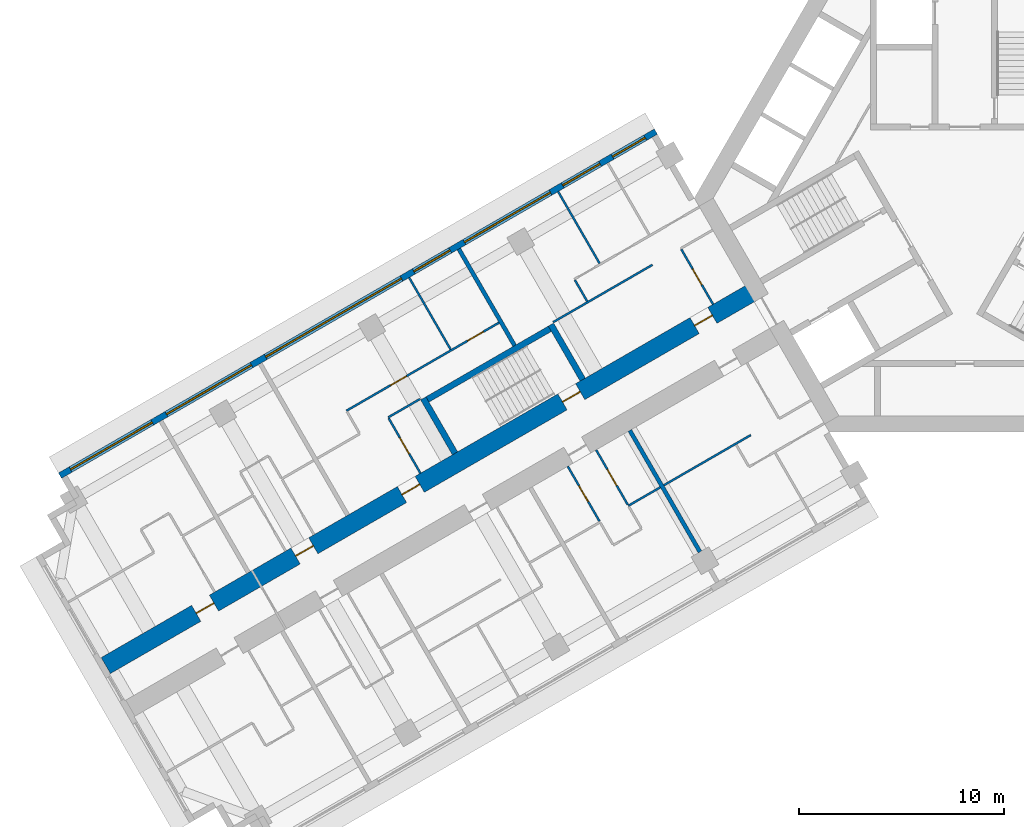
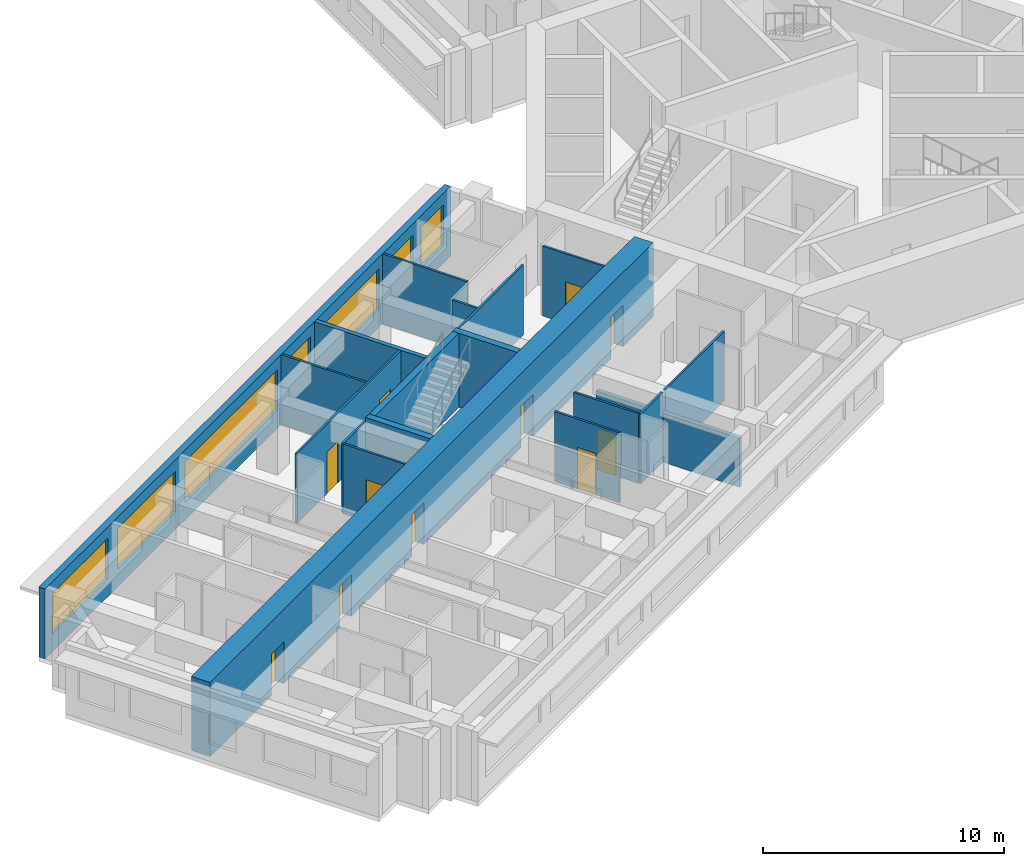
# One storey, part 5 of 16: 19 walls, 11 doors, 7 windows, 18 openings.
"""IFC4 building model written with IfcOpenShell, lengths in metres."""

from ifc_helpers import new_model, si_unit, direction, frame, frame_2d, origin, place, context, subcontext, project, spatial, rectangle, extrude, material, layer, layer_set, type_object, element, fill, save


model = new_model("IFC4")

# Units and contexts
model_context = context("Model", 3, precision=1e-05, world=origin(), true_north=direction((0.0, 1.0)))
body_context = subcontext(model_context, "Body", "Model", "MODEL_VIEW")
ifc_project = project(units=[si_unit("LENGTHUNIT", "METRE"), si_unit("AREAUNIT", "SQUARE_METRE"), si_unit("VOLUMEUNIT", "CUBIC_METRE"), si_unit("PLANEANGLEUNIT", "RADIAN"), si_unit("MASSUNIT", "GRAM", prefix="KILO")], contexts=[model_context])

# Site, building, storey
site_placement = place(None, origin())
site = spatial("IfcSite", under=ifc_project, at=site_placement, CompositionType="ELEMENT")
building_placement = place(site_placement, origin())
building = spatial("IfcBuilding", under=site, at=building_placement, Name="Impinga Residences", CompositionType="ELEMENT")
storey_placement = place(building_placement, frame((0.0, 0.0, 106.0)))
storey = spatial("IfcBuildingStorey", under=building, at=storey_placement, Name="L25", CompositionType="ELEMENT", Elevation=106.0)

# Wall, openings, doors
ifc_material_1 = material(Name="Concrete C60/75", Category="concrete")
ifc_layer_1 = layer(ifc_material_1, 0.89990234375)
ifc_layer_set_1 = layer_set([ifc_layer_1], Name="Concrete C60/75")
wall_type_1 = type_object("IfcWallType", Name="BW2 corridor buttress wall, L24 to L44 900", PredefinedType="SHEAR", material=ifc_layer_set_1)
wall_1_placement = place(storey_placement, frame((-10.153564453125, -4.4765625, 0.0), z_axis=(0.0, 0.0, 1.0), x_axis=(-0.866027614434, -0.499996171023, 0.0)))
wall_1 = element("IfcWall", 1, at=wall_1_placement, inside=storey, type_object=wall_type_1, Name="Corridor wall BW2 WD L25", PredefinedType="SHEAR", context=body_context, shape_type="SweptSolid", body=[
    extrude(rectangle(XDim=36.699951171875, YDim=0.89990234375, at=frame_2d((18.35009765625, 0.0))), origin(), (0.0, 0.0, 1.0), 3.75),
])
opening_1_placement = place(wall_1_placement, frame((9.949951171875, 0.0, 0.0)))
opening_1 = element("IfcOpeningElement", 2, at=opening_1_placement, cuts=wall_1, Name="Opening D5", PredefinedType="OPENING", context=body_context, shape_type="SweptSolid", body=[
    extrude(rectangle(XDim=1.0, YDim=2.10009765625, at=frame_2d((0.5, 1.050048828125))), frame((0.0, 0.4599609375, 0.0), z_axis=(0.0, -1.0, 0.0), x_axis=(1.0, 0.0, 0.0)), (0.0, 0.0, 1.0), 0.919921875),
])
opening_2_placement = place(wall_1_placement, frame((2.5, 0.0, 0.0)))
opening_2 = element("IfcOpeningElement", 3, at=opening_2_placement, cuts=wall_1, Name="Opening D1", PredefinedType="OPENING", context=body_context, shape_type="SweptSolid", body=[
    extrude(rectangle(XDim=1.0, YDim=2.10009765625, at=frame_2d((0.5, 1.050048828125))), frame((0.0, 0.4599609375, 0.0), z_axis=(0.0, -1.0, 0.0), x_axis=(1.0, 0.0, 0.0)), (0.0, 0.0, 1.0), 0.919921875),
])
opening_3_placement = place(wall_1_placement, frame((19.0, 0.0, 0.0)))
opening_3 = element("IfcOpeningElement", 4, at=opening_3_placement, cuts=wall_1, Name="Opening D1", PredefinedType="OPENING", context=body_context, shape_type="SweptSolid", body=[
    extrude(rectangle(XDim=1.0, YDim=2.10009765625, at=frame_2d((0.5, 1.050048828125))), frame((0.0, 0.4599609375, 0.0), z_axis=(0.0, -1.0, 0.0), x_axis=(1.0, 0.0, 0.0)), (0.0, 0.0, 1.0), 0.919921875),
])
opening_4_placement = place(wall_1_placement, frame((25.0, 0.0, 0.0)))
opening_4 = element("IfcOpeningElement", 5, at=opening_4_placement, cuts=wall_1, Name="Opening D1", PredefinedType="OPENING", context=body_context, shape_type="SweptSolid", body=[
    extrude(rectangle(XDim=1.0, YDim=2.10009765625, at=frame_2d((0.5, 1.050048828125))), frame((0.0, 0.4599609375, 0.0), z_axis=(0.0, -1.0, 0.0), x_axis=(1.0, 0.0, 0.0)), (0.0, 0.0, 1.0), 0.919921875),
])
opening_5_placement = place(wall_1_placement, frame((30.60009765625, 0.0, 0.0)))
opening_5 = element("IfcOpeningElement", 6, at=opening_5_placement, cuts=wall_1, Name="Opening D1", PredefinedType="OPENING", context=body_context, shape_type="SweptSolid", body=[
    extrude(rectangle(XDim=1.0, YDim=2.10009765625, at=frame_2d((0.5, 1.050048828125))), frame((0.0, 0.4599609375, 0.0), z_axis=(0.0, -1.0, 0.0), x_axis=(1.0, 0.0, 0.0)), (0.0, 0.0, 1.0), 0.919921875),
])
ifc_material_2 = material(Name="Timber door set", Category="wood")
door_type_1 = type_object("IfcDoorType", Name="D1 apartment entrance door 1000x2100", OperationType="SINGLE_SWING_LEFT", PredefinedType="DOOR", material=ifc_material_2)
door_1_placement = place(opening_2_placement, origin())
door_1 = element("IfcDoor", 7, at=door_1_placement, inside=storey, type_object=door_type_1, Name="Apartment L25-WF1 entrance", OperationType="SINGLE_SWING_LEFT", OverallHeight=2.10009765625, OverallWidth=1.0, PredefinedType="DOOR", context=body_context, shape_type="SweptSolid", body=[
    extrude(rectangle(XDim=1.0, YDim=2.10009765625, at=frame_2d((0.5, 1.050048828125))), frame((0.0, 0.02490234375, 0.0), z_axis=(0.0, -1.0, 0.0), x_axis=(1.0, 0.0, 0.0)), (0.0, 0.0, 1.0), 0.050048828125),
])
fill(opening_2, door_1)
door_2_placement = place(opening_3_placement, origin())
door_2 = element("IfcDoor", 8, at=door_2_placement, inside=storey, type_object=door_type_1, Name="Apartment L25-WF2 entrance", OperationType="SINGLE_SWING_RIGHT", OverallHeight=2.10009765625, OverallWidth=1.0, PredefinedType="DOOR", context=body_context, shape_type="SweptSolid", body=[
    extrude(rectangle(XDim=1.0, YDim=2.10009765625, at=frame_2d((0.5, 1.050048828125))), frame((0.0, 0.02490234375, 0.0), z_axis=(0.0, -1.0, 0.0), x_axis=(1.0, 0.0, 0.0)), (0.0, 0.0, 1.0), 0.050048828125),
])
fill(opening_3, door_2)
door_3_placement = place(opening_4_placement, origin())
door_3 = element("IfcDoor", 9, at=door_3_placement, inside=storey, type_object=door_type_1, Name="Apartment L25-WF3 entrance", OperationType="SINGLE_SWING_RIGHT", OverallHeight=2.10009765625, OverallWidth=1.0, PredefinedType="DOOR", context=body_context, shape_type="SweptSolid", body=[
    extrude(rectangle(XDim=1.0, YDim=2.10009765625, at=frame_2d((0.5, 1.050048828125))), frame((0.0, 0.02490234375, 0.0), z_axis=(0.0, -1.0, 0.0), x_axis=(1.0, 0.0, 0.0)), (0.0, 0.0, 1.0), 0.050048828125),
])
fill(opening_4, door_3)
door_4_placement = place(opening_5_placement, origin())
door_4 = element("IfcDoor", 10, at=door_4_placement, inside=storey, type_object=door_type_1, Name="Apartment L25-WF4 entrance", OperationType="SINGLE_SWING_RIGHT", OverallHeight=2.10009765625, OverallWidth=1.0, PredefinedType="DOOR", context=body_context, shape_type="SweptSolid", body=[
    extrude(rectangle(XDim=1.0, YDim=2.10009765625, at=frame_2d((0.5, 1.050048828125))), frame((0.0, 0.02490234375, 0.0), z_axis=(0.0, -1.0, 0.0), x_axis=(1.0, 0.0, 0.0)), (0.0, 0.0, 1.0), 0.050048828125),
])
fill(opening_5, door_4)
door_type_2 = type_object("IfcDoorType", Name="D5 stair door 1000x2100", OperationType="SINGLE_SWING_LEFT", PredefinedType="DOOR", material=ifc_material_2)
door_5_placement = place(opening_1_placement, origin())
door_5 = element("IfcDoor", 11, at=door_5_placement, inside=storey, type_object=door_type_2, Name="Wing stair door W", OperationType="SINGLE_SWING_LEFT", OverallHeight=2.10009765625, OverallWidth=1.0, PredefinedType="DOOR", context=body_context, shape_type="SweptSolid", body=[
    extrude(rectangle(XDim=1.0, YDim=2.10009765625, at=frame_2d((0.5, 1.050048828125))), frame((0.0, 0.02490234375, 0.0), z_axis=(0.0, -1.0, 0.0), x_axis=(1.0, 0.0, 0.0)), (0.0, 0.0, 1.0), 0.050048828125),
])
fill(opening_1, door_5)

# Wall, openings, windows
ifc_material_3 = material(Name="Terracotta rainscreen on blockwork", Category="masonry")
ifc_layer_2 = layer(ifc_material_3, 0.300048828125)
ifc_layer_set_2 = layer_set([ifc_layer_2], Name="EW1 external wall, terracotta rainscreen on blockwork 300")
wall_type_2 = type_object("IfcWallType", Name="EW1 external wall, terracotta rainscreen on blockwork 300", PredefinedType="SOLIDWALL", material=ifc_layer_set_2)
wall_2_placement = place(storey_placement, frame((-44.17333984375, -13.552490234375, 0.0), z_axis=(0.0, 0.0, 1.0), x_axis=(0.866024291668, 0.500001926238, 0.0)))
wall_2 = element("IfcWall", 12, at=wall_2_placement, inside=storey, type_object=wall_type_2, Name="External wall EW1 L25", PredefinedType="SOLIDWALL", context=body_context, shape_type="SweptSolid", body=[
    extrude(rectangle(XDim=33.599853515625, YDim=0.300048828125, at=frame_2d((16.7998046875, 0.0))), origin(), (0.0, 0.0, 1.0), 3.530029296875),
])
opening_6_placement = place(wall_2_placement, frame((0.60009765625, 0.0, 0.89990234375)))
opening_6 = element("IfcOpeningElement", 13, at=opening_6_placement, cuts=wall_2, Name="Opening W3", PredefinedType="OPENING", context=body_context, shape_type="SweptSolid", body=[
    extrude(rectangle(XDim=4.60009765625, YDim=2.050048828125, at=frame_2d((2.300048828125, 1.02490234375))), frame((0.0, 0.159912109375, 0.0), z_axis=(0.0, -1.0, 0.0), x_axis=(1.0, 0.0, 0.0)), (0.0, 0.0, 1.0), 0.320068359375),
])
opening_7_placement = place(wall_2_placement, frame((6.0, 0.0, 0.89990234375)))
opening_7 = element("IfcOpeningElement", 14, at=opening_7_placement, cuts=wall_2, Name="Opening W8", PredefinedType="OPENING", context=body_context, shape_type="SweptSolid", body=[
    extrude(rectangle(XDim=4.800048828125, YDim=2.050048828125, at=frame_2d((2.39990234375, 1.02490234375))), frame((0.0, 0.159912109375, 0.0), z_axis=(0.0, -1.0, 0.0), x_axis=(1.0, 0.0, 0.0)), (0.0, 0.0, 1.0), 0.320068359375),
])
opening_8_placement = place(wall_2_placement, frame((11.60009765625, 0.0, 0.89990234375)))
opening_8 = element("IfcOpeningElement", 15, at=opening_8_placement, cuts=wall_2, Name="Opening W13", PredefinedType="OPENING", context=body_context, shape_type="SweptSolid", body=[
    extrude(rectangle(XDim=7.64990234375, YDim=2.050048828125, at=frame_2d((3.824951171875, 1.02490234375))), frame((0.0, 0.159912109375, 0.0), z_axis=(0.0, -1.0, 0.0), x_axis=(1.0, 0.0, 0.0)), (0.0, 0.0, 1.0), 0.320068359375),
])
opening_9_placement = place(wall_2_placement, frame((19.949951171875, 0.0, 0.89990234375)))
opening_9 = element("IfcOpeningElement", 16, at=opening_9_placement, cuts=wall_2, Name="Opening W14", PredefinedType="OPENING", context=body_context, shape_type="SweptSolid", body=[
    extrude(rectangle(XDim=2.050048828125, YDim=2.050048828125, at=frame_2d((1.02490234375, 1.02490234375))), frame((0.0, 0.159912109375, 0.0), z_axis=(0.0, -1.0, 0.0), x_axis=(1.0, 0.0, 0.0)), (0.0, 0.0, 1.0), 0.320068359375),
])
opening_10_placement = place(wall_2_placement, frame((22.800048828125, 0.0, 0.89990234375)))
opening_10 = element("IfcOpeningElement", 17, at=opening_10_placement, cuts=wall_2, Name="Opening W6", PredefinedType="OPENING", context=body_context, shape_type="SweptSolid", body=[
    extrude(rectangle(XDim=4.85009765625, YDim=2.050048828125, at=frame_2d((2.425048828125, 1.02490234375))), frame((0.0, 0.159912109375, 0.0), z_axis=(0.0, -1.0, 0.0), x_axis=(1.0, 0.0, 0.0)), (0.0, 0.0, 1.0), 0.320068359375),
])
opening_11_placement = place(wall_2_placement, frame((28.35009765625, 0.0, 0.89990234375)))
opening_11 = element("IfcOpeningElement", 18, at=opening_11_placement, cuts=wall_2, Name="Opening W9", PredefinedType="OPENING", context=body_context, shape_type="SweptSolid", body=[
    extrude(rectangle(XDim=2.10009765625, YDim=2.050048828125, at=frame_2d((1.050048828125, 1.02490234375))), frame((0.0, 0.159912109375, 0.0), z_axis=(0.0, -1.0, 0.0), x_axis=(1.0, 0.0, 0.0)), (0.0, 0.0, 1.0), 0.320068359375),
])
opening_12_placement = place(wall_2_placement, frame((31.14990234375, 0.0, 0.89990234375)))
opening_12 = element("IfcOpeningElement", 19, at=opening_12_placement, cuts=wall_2, Name="Opening W15", PredefinedType="OPENING", context=body_context, shape_type="SweptSolid", body=[
    extrude(rectangle(XDim=1.85009765625, YDim=2.050048828125, at=frame_2d((0.925048828125, 1.02490234375))), frame((0.0, 0.159912109375, 0.0), z_axis=(0.0, -1.0, 0.0), x_axis=(1.0, 0.0, 0.0)), (0.0, 0.0, 1.0), 0.320068359375),
])
ifc_material_4 = material(Name="Aluminium window, clear double glazing", Category="aluminium")
window_type_1 = type_object("IfcWindowType", Name="W13 ribbon window 7650x2050", PartitioningType="SINGLE_PANEL", PredefinedType="WINDOW", material=ifc_material_4)
window_1_placement = place(opening_8_placement, origin())
window_1 = element("IfcWindow", 20, at=window_1_placement, inside=storey, type_object=window_type_1, Name="Window L25", OverallHeight=2.050048828125, OverallWidth=7.64990234375, PartitioningType="SINGLE_PANEL", PredefinedType="WINDOW", context=body_context, shape_type="SweptSolid", body=[
    extrude(rectangle(XDim=7.64990234375, YDim=2.050048828125, at=frame_2d((3.824951171875, 1.02490234375))), frame((0.0, 0.030029296875, 0.0), z_axis=(0.0, -1.0, 0.0), x_axis=(1.0, 0.0, 0.0)), (0.0, 0.0, 1.0), 0.06005859375),
])
fill(opening_8, window_1)
window_type_2 = type_object("IfcWindowType", Name="W14 ribbon window 2050x2050", PartitioningType="SINGLE_PANEL", PredefinedType="WINDOW", material=ifc_material_4)
window_2_placement = place(opening_9_placement, origin())
window_2 = element("IfcWindow", 21, at=window_2_placement, inside=storey, type_object=window_type_2, Name="Window L25", OverallHeight=2.050048828125, OverallWidth=2.050048828125, PartitioningType="SINGLE_PANEL", PredefinedType="WINDOW", context=body_context, shape_type="SweptSolid", body=[
    extrude(rectangle(XDim=2.050048828125, YDim=2.050048828125, at=frame_2d((1.02490234375, 1.02490234375))), frame((0.0, 0.030029296875, 0.0), z_axis=(0.0, -1.0, 0.0), x_axis=(1.0, 0.0, 0.0)), (0.0, 0.0, 1.0), 0.06005859375),
])
fill(opening_9, window_2)
window_type_3 = type_object("IfcWindowType", Name="W15 ribbon window 1850x2050", PartitioningType="SINGLE_PANEL", PredefinedType="WINDOW", material=ifc_material_4)
window_3_placement = place(opening_12_placement, origin())
window_3 = element("IfcWindow", 22, at=window_3_placement, inside=storey, type_object=window_type_3, Name="Window L25", OverallHeight=2.050048828125, OverallWidth=1.85009765625, PartitioningType="SINGLE_PANEL", PredefinedType="WINDOW", context=body_context, shape_type="SweptSolid", body=[
    extrude(rectangle(XDim=1.85009765625, YDim=2.050048828125, at=frame_2d((0.925048828125, 1.02490234375))), frame((0.0, 0.030029296875, 0.0), z_axis=(0.0, -1.0, 0.0), x_axis=(1.0, 0.0, 0.0)), (0.0, 0.0, 1.0), 0.06005859375),
])
fill(opening_12, window_3)
window_type_4 = type_object("IfcWindowType", Name="W3 ribbon window 4600x2050", PartitioningType="SINGLE_PANEL", PredefinedType="WINDOW", material=ifc_material_4)
window_4_placement = place(opening_6_placement, origin())
window_4 = element("IfcWindow", 23, at=window_4_placement, inside=storey, type_object=window_type_4, Name="Window L25", OverallHeight=2.050048828125, OverallWidth=4.60009765625, PartitioningType="SINGLE_PANEL", PredefinedType="WINDOW", context=body_context, shape_type="SweptSolid", body=[
    extrude(rectangle(XDim=4.60009765625, YDim=2.050048828125, at=frame_2d((2.300048828125, 1.02490234375))), frame((0.0, 0.030029296875, 0.0), z_axis=(0.0, -1.0, 0.0), x_axis=(1.0, 0.0, 0.0)), (0.0, 0.0, 1.0), 0.06005859375),
])
fill(opening_6, window_4)
window_type_5 = type_object("IfcWindowType", Name="W6 ribbon window 4850x2050", PartitioningType="SINGLE_PANEL", PredefinedType="WINDOW", material=ifc_material_4)
window_5_placement = place(opening_10_placement, origin())
window_5 = element("IfcWindow", 24, at=window_5_placement, inside=storey, type_object=window_type_5, Name="Window L25", OverallHeight=2.050048828125, OverallWidth=4.85009765625, PartitioningType="SINGLE_PANEL", PredefinedType="WINDOW", context=body_context, shape_type="SweptSolid", body=[
    extrude(rectangle(XDim=4.85009765625, YDim=2.050048828125, at=frame_2d((2.425048828125, 1.02490234375))), frame((0.0, 0.030029296875, 0.0), z_axis=(0.0, -1.0, 0.0), x_axis=(1.0, 0.0, 0.0)), (0.0, 0.0, 1.0), 0.06005859375),
])
fill(opening_10, window_5)
window_type_6 = type_object("IfcWindowType", Name="W8 ribbon window 4800x2050", PartitioningType="SINGLE_PANEL", PredefinedType="WINDOW", material=ifc_material_4)
window_6_placement = place(opening_7_placement, origin())
window_6 = element("IfcWindow", 25, at=window_6_placement, inside=storey, type_object=window_type_6, Name="Window L25", OverallHeight=2.050048828125, OverallWidth=4.800048828125, PartitioningType="SINGLE_PANEL", PredefinedType="WINDOW", context=body_context, shape_type="SweptSolid", body=[
    extrude(rectangle(XDim=4.800048828125, YDim=2.050048828125, at=frame_2d((2.39990234375, 1.02490234375))), frame((0.0, 0.030029296875, 0.0), z_axis=(0.0, -1.0, 0.0), x_axis=(1.0, 0.0, 0.0)), (0.0, 0.0, 1.0), 0.06005859375),
])
fill(opening_7, window_6)
window_type_7 = type_object("IfcWindowType", Name="W9 ribbon window 2100x2050", PartitioningType="SINGLE_PANEL", PredefinedType="WINDOW", material=ifc_material_4)
window_7_placement = place(opening_11_placement, origin())
window_7 = element("IfcWindow", 26, at=window_7_placement, inside=storey, type_object=window_type_7, Name="Window L25", OverallHeight=2.050048828125, OverallWidth=2.10009765625, PartitioningType="SINGLE_PANEL", PredefinedType="WINDOW", context=body_context, shape_type="SweptSolid", body=[
    extrude(rectangle(XDim=2.10009765625, YDim=2.050048828125, at=frame_2d((1.050048828125, 1.02490234375))), frame((0.0, 0.030029296875, 0.0), z_axis=(0.0, -1.0, 0.0), x_axis=(1.0, 0.0, 0.0)), (0.0, 0.0, 1.0), 0.06005859375),
])
fill(opening_11, window_7)

# Walls
ifc_material_5 = material(Name="Gypsum board on steel studs", Category="steel")
ifc_layer_3 = layer(ifc_material_5, 0.10009765625)
ifc_layer_set_3 = layer_set([ifc_layer_3], Name="Gypsum board on steel studs")
wall_type_3 = type_object("IfcWallType", Name="IP1 partition 100", PredefinedType="PARTITIONING", material=ifc_layer_set_3)
wall_3_placement = place(storey_placement, frame((-10.444580078125, -11.57275390625, 0.0), z_axis=(0.0, 0.0, 1.0), x_axis=(-0.866023786258, -0.500002801628, 0.0)))
element("IfcWall", 27, at=wall_3_placement, inside=storey, type_object=wall_type_3, Name="Partition L25-WA1:DIV1", PredefinedType="PARTITIONING", context=body_context, shape_type="SweptSolid", body=[
    extrude(rectangle(XDim=4.89990234375, YDim=0.10009765625, at=frame_2d((2.449951171875, 0.0))), origin(), (0.0, 0.0, 1.0), 3.530029296875),
])
wall_4_placement = place(storey_placement, frame((-14.861328125, -14.122802734375, 0.0), z_axis=(0.0, 0.0, 1.0), x_axis=(-0.866047807691, -0.499961193289, 0.0)))
element("IfcWall", 28, at=wall_4_placement, inside=storey, type_object=wall_type_3, Name="Partition L25-WA2:DIV0", PredefinedType="PARTITIONING", context=body_context, shape_type="SweptSolid", body=[
    extrude(rectangle(XDim=1.800048828125, YDim=0.10009765625, at=frame_2d((0.89990234375, 0.0))), origin(), (0.0, 0.0, 1.0), 3.530029296875),
])

# Wall, opening, door
wall_5_placement = place(storey_placement, frame((-17.9951171875, -12.294677734375, 0.0), z_axis=(0.0, 0.0, 1.0), x_axis=(0.49999285859, -0.86602952684, 0.0)))
wall_5 = element("IfcWall", 29, at=wall_5_placement, inside=storey, type_object=wall_type_3, Name="Partition L25-WA2:IB1", PredefinedType="PARTITIONING", context=body_context, shape_type="SweptSolid", body=[
    extrude(rectangle(XDim=3.10009765625, YDim=0.10009765625, at=frame_2d((1.550048828125, 0.0))), origin(), (0.0, 0.0, 1.0), 3.530029296875),
])
opening_13_placement = place(wall_5_placement, frame((1.10009765625, 0.0, 0.0)))
opening_13 = element("IfcOpeningElement", 30, at=opening_13_placement, cuts=wall_5, Name="Opening D2", PredefinedType="OPENING", context=body_context, shape_type="SweptSolid", body=[
    extrude(rectangle(XDim=0.89990234375, YDim=2.10009765625, at=frame_2d((0.449951171875, 1.050048828125))), frame((0.0, 0.06005859375, 0.0), z_axis=(0.0, -1.0, 0.0), x_axis=(1.0, 0.0, 0.0)), (0.0, 0.0, 1.0), 0.1201171875),
])
door_type_3 = type_object("IfcDoorType", Name="D2 internal door 900x2100", OperationType="SINGLE_SWING_LEFT", PredefinedType="DOOR", material=ifc_material_2)
door_6_placement = place(opening_13_placement, origin())
door_6 = element("IfcDoor", 31, at=door_6_placement, inside=storey, type_object=door_type_3, Name="Apartment L25-WA2 bathroom door", OperationType="SINGLE_SWING_LEFT", OverallHeight=2.10009765625, OverallWidth=0.89990234375, PredefinedType="DOOR", context=body_context, shape_type="SweptSolid", body=[
    extrude(rectangle(XDim=0.89990234375, YDim=2.10009765625, at=frame_2d((0.449951171875, 1.050048828125))), frame((0.0, 0.02490234375, 0.0), z_axis=(0.0, -1.0, 0.0), x_axis=(1.0, 0.0, 0.0)), (0.0, 0.0, 1.0), 0.050048828125),
])
fill(opening_13, door_6)

wall_6_placement = place(storey_placement, frame((-19.380615234375, -13.0947265625, 0.0), z_axis=(0.0, 0.0, 1.0), x_axis=(0.499967891604, -0.866043940782, 0.0)))
wall_6 = element("IfcWall", 32, at=wall_6_placement, inside=storey, type_object=wall_type_3, Name="Partition L25-WA2:IB2", PredefinedType="PARTITIONING", context=body_context, shape_type="SweptSolid", body=[
    extrude(rectangle(XDim=3.099853515625, YDim=0.10009765625, at=frame_2d((1.5498046875, 0.0))), origin(), (0.0, 0.0, 1.0), 3.530029296875),
])
opening_14_placement = place(wall_6_placement, frame((1.10009765625, 0.0, 0.0)))
opening_14 = element("IfcOpeningElement", 33, at=opening_14_placement, cuts=wall_6, Name="Opening D2", PredefinedType="OPENING", context=body_context, shape_type="SweptSolid", body=[
    extrude(rectangle(XDim=0.89990234375, YDim=2.10009765625, at=frame_2d((0.449951171875, 1.050048828125))), frame((0.0, 0.06005859375, 0.0), z_axis=(0.0, -1.0, 0.0), x_axis=(1.0, 0.0, 0.0)), (0.0, 0.0, 1.0), 0.1201171875),
])
door_7_placement = place(opening_14_placement, origin())
door_7 = element("IfcDoor", 34, at=door_7_placement, inside=storey, type_object=door_type_3, Name="Apartment L25-WA2 WC door", OperationType="SINGLE_SWING_LEFT", OverallHeight=2.10009765625, OverallWidth=0.89990234375, PredefinedType="DOOR", context=body_context, shape_type="SweptSolid", body=[
    extrude(rectangle(XDim=0.89990234375, YDim=2.10009765625, at=frame_2d((0.449951171875, 1.050048828125))), frame((0.0, 0.02490234375, 0.0), z_axis=(0.0, -1.0, 0.0), x_axis=(1.0, 0.0, 0.0)), (0.0, 0.0, 1.0), 0.050048828125),
])
fill(opening_14, door_7)

# Walls
wall_7_placement = place(storey_placement, frame((-15.244384765625, -3.2587890625, 0.0), z_axis=(0.0, 0.0, 1.0), x_axis=(-0.866026594901, -0.49999793692, 0.0)))
element("IfcWall", 35, at=wall_7_placement, inside=storey, type_object=wall_type_3, Name="Partition L25-WF1:DIV1", PredefinedType="PARTITIONING", context=body_context, shape_type="SweptSolid", body=[
    extrude(rectangle(XDim=5.60009765625, YDim=0.10009765625, at=frame_2d((2.800048828125, 0.0))), origin(), (0.0, 0.0, 1.0), 3.530029296875),
])
wall_8_placement = place(storey_placement, frame((-18.430419921875, -5.04052734375, 0.0), z_axis=(0.0, 0.0, 1.0), x_axis=(-0.500033551112, 0.866006032174, 0.0)))
element("IfcWall", 36, at=wall_8_placement, inside=storey, type_object=wall_type_3, Name="Partition L25-WF1:SE1", PredefinedType="PARTITIONING", context=body_context, shape_type="SweptSolid", body=[
    extrude(rectangle(XDim=1.2001953125, YDim=0.10009765625, at=frame_2d((0.60009765625, 0.0))), origin(), (0.0, 0.0, 1.0), 3.530029296875),
])

# Wall, opening, door
wall_9_placement = place(storey_placement, frame((-12.283935546875, -5.186767578125, 0.0), z_axis=(0.0, 0.0, 1.0), x_axis=(-0.499967891604, 0.866043940782, 0.0)))
wall_9 = element("IfcWall", 37, at=wall_9_placement, inside=storey, type_object=wall_type_3, Name="Partition L25-WF1:IB1", PredefinedType="PARTITIONING", context=body_context, shape_type="SweptSolid", body=[
    extrude(rectangle(XDim=3.099853515625, YDim=0.10009765625, at=frame_2d((1.5498046875, 0.0))), origin(), (0.0, 0.0, 1.0), 3.530029296875),
])
opening_15_placement = place(wall_9_placement, frame((1.10009765625, 0.0, 0.0)))
opening_15 = element("IfcOpeningElement", 38, at=opening_15_placement, cuts=wall_9, Name="Opening D2", PredefinedType="OPENING", context=body_context, shape_type="SweptSolid", body=[
    extrude(rectangle(XDim=0.89990234375, YDim=2.10009765625, at=frame_2d((0.449951171875, 1.050048828125))), frame((0.0, 0.06005859375, 0.0), z_axis=(0.0, -1.0, 0.0), x_axis=(1.0, 0.0, 0.0)), (0.0, 0.0, 1.0), 0.1201171875),
])
door_8_placement = place(opening_15_placement, origin())
door_8 = element("IfcDoor", 39, at=door_8_placement, inside=storey, type_object=door_type_3, Name="Apartment L25-WF1 bathroom door", OperationType="SINGLE_SWING_LEFT", OverallHeight=2.10009765625, OverallWidth=0.89990234375, PredefinedType="DOOR", context=body_context, shape_type="SweptSolid", body=[
    extrude(rectangle(XDim=0.89990234375, YDim=2.10009765625, at=frame_2d((0.449951171875, 1.050048828125))), frame((0.0, 0.02490234375, 0.0), z_axis=(0.0, -1.0, 0.0), x_axis=(1.0, 0.0, 0.0)), (0.0, 0.0, 1.0), 0.050048828125),
])
fill(opening_15, door_8)

# Walls
wall_10_placement = place(storey_placement, frame((-17.82470703125, -3.189697265625, 0.0), z_axis=(0.0, 0.0, 1.0), x_axis=(-0.500035537042, 0.866004885491, 0.0)))
element("IfcWall", 40, at=wall_10_placement, inside=storey, type_object=wall_type_3, Name="Partition L25-WF1:OB2", PredefinedType="PARTITIONING", context=body_context, shape_type="SweptSolid", body=[
    extrude(rectangle(XDim=4.050048828125, YDim=0.10009765625, at=frame_2d((2.02490234375, 0.0))), origin(), (0.0, 0.0, 1.0), 3.530029296875),
])
wall_11_placement = place(storey_placement, frame((-26.58935546875, -9.808837890625, 0.0), z_axis=(0.0, 0.0, 1.0), x_axis=(-0.866047807691, -0.499961193289, 0.0)))
element("IfcWall", 41, at=wall_11_placement, inside=storey, type_object=wall_type_3, Name="Partition L25-WF2:DIV0", PredefinedType="PARTITIONING", context=body_context, shape_type="SweptSolid", body=[
    extrude(rectangle(XDim=1.800048828125, YDim=0.10009765625, at=frame_2d((0.89990234375, 0.0))), origin(), (0.0, 0.0, 1.0), 3.530029296875),
])

# Wall, openings, doors
wall_12_placement = place(storey_placement, frame((-22.736083984375, -6.0830078125, 0.0), z_axis=(0.0, 0.0, 1.0), x_axis=(-0.866021068297, -0.500007509209, 0.0)))
wall_12 = element("IfcWall", 42, at=wall_12_placement, inside=storey, type_object=wall_type_3, Name="Partition L25-WF2:STRIP", PredefinedType="PARTITIONING", context=body_context, shape_type="SweptSolid", body=[
    extrude(rectangle(XDim=8.599853515625, YDim=0.10009765625, at=frame_2d((4.2998046875, 0.0))), origin(), (0.0, 0.0, 1.0), 3.530029296875),
])
opening_16_placement = place(wall_12_placement, frame((0.875, 0.0, 0.0)))
opening_16 = element("IfcOpeningElement", 43, at=opening_16_placement, cuts=wall_12, Name="Opening D2", PredefinedType="OPENING", context=body_context, shape_type="SweptSolid", body=[
    extrude(rectangle(XDim=0.89990234375, YDim=2.10009765625, at=frame_2d((0.449951171875, 1.050048828125))), frame((0.0, 0.06005859375, 0.0), z_axis=(0.0, -1.0, 0.0), x_axis=(1.0, 0.0, 0.0)), (0.0, 0.0, 1.0), 0.1201171875),
])
opening_17_placement = place(wall_12_placement, frame((5.22509765625, 0.0, 0.0)))
opening_17 = element("IfcOpeningElement", 44, at=opening_17_placement, cuts=wall_12, Name="Opening D2", PredefinedType="OPENING", context=body_context, shape_type="SweptSolid", body=[
    extrude(rectangle(XDim=0.89990234375, YDim=2.10009765625, at=frame_2d((0.449951171875, 1.050048828125))), frame((0.0, 0.06005859375, 0.0), z_axis=(0.0, -1.0, 0.0), x_axis=(1.0, 0.0, 0.0)), (0.0, 0.0, 1.0), 0.1201171875),
])
door_9_placement = place(opening_16_placement, origin())
door_9 = element("IfcDoor", 45, at=door_9_placement, inside=storey, type_object=door_type_3, Name="Apartment L25-WF2 room door", OperationType="SINGLE_SWING_LEFT", OverallHeight=2.10009765625, OverallWidth=0.89990234375, PredefinedType="DOOR", context=body_context, shape_type="SweptSolid", body=[
    extrude(rectangle(XDim=0.89990234375, YDim=2.10009765625, at=frame_2d((0.449951171875, 1.050048828125))), frame((0.0, 0.02490234375, 0.0), z_axis=(0.0, -1.0, 0.0), x_axis=(1.0, 0.0, 0.0)), (0.0, 0.0, 1.0), 0.050048828125),
])
fill(opening_16, door_9)
door_10_placement = place(opening_17_placement, origin())
door_10 = element("IfcDoor", 46, at=door_10_placement, inside=storey, type_object=door_type_3, Name="Apartment L25-WF2 room door", OperationType="SINGLE_SWING_RIGHT", OverallHeight=2.10009765625, OverallWidth=0.89990234375, PredefinedType="DOOR", context=body_context, shape_type="SweptSolid", body=[
    extrude(rectangle(XDim=0.89990234375, YDim=2.10009765625, at=frame_2d((0.449951171875, 1.050048828125))), frame((0.0, 0.02490234375, 0.0), z_axis=(0.0, -1.0, 0.0), x_axis=(1.0, 0.0, 0.0)), (0.0, 0.0, 1.0), 0.050048828125),
])
fill(opening_17, door_10)

# Wall, opening, door
wall_13_placement = place(storey_placement, frame((-26.5732421875, -13.436767578125, 0.0), z_axis=(0.0, 0.0, 1.0), x_axis=(-0.500026960575, 0.86600983753, 0.0)))
wall_13 = element("IfcWall", 47, at=wall_13_placement, inside=storey, type_object=wall_type_3, Name="Partition L25-WF2:IB1", PredefinedType="PARTITIONING", context=body_context, shape_type="SweptSolid", body=[
    extrude(rectangle(XDim=3.099853515625, YDim=0.10009765625, at=frame_2d((1.5498046875, 0.0))), origin(), (0.0, 0.0, 1.0), 3.530029296875),
])
opening_18_placement = place(wall_13_placement, frame((1.10009765625, 0.0, 0.0)))
opening_18 = element("IfcOpeningElement", 48, at=opening_18_placement, cuts=wall_13, Name="Opening D2", PredefinedType="OPENING", context=body_context, shape_type="SweptSolid", body=[
    extrude(rectangle(XDim=0.89990234375, YDim=2.10009765625, at=frame_2d((0.449951171875, 1.050048828125))), frame((0.0, 0.06005859375, 0.0), z_axis=(0.0, -1.0, 0.0), x_axis=(1.0, 0.0, 0.0)), (0.0, 0.0, 1.0), 0.1201171875),
])
door_11_placement = place(opening_18_placement, origin())
door_11 = element("IfcDoor", 49, at=door_11_placement, inside=storey, type_object=door_type_3, Name="Apartment L25-WF2 bathroom door", OperationType="SINGLE_SWING_LEFT", OverallHeight=2.10009765625, OverallWidth=0.89990234375, PredefinedType="DOOR", context=body_context, shape_type="SweptSolid", body=[
    extrude(rectangle(XDim=0.89990234375, YDim=2.10009765625, at=frame_2d((0.449951171875, 1.050048828125))), frame((0.0, 0.02490234375, 0.0), z_axis=(0.0, -1.0, 0.0), x_axis=(1.0, 0.0, 0.0)), (0.0, 0.0, 1.0), 0.050048828125),
])
fill(opening_18, door_11)

# Walls
wall_14_placement = place(storey_placement, frame((-25.099365234375, -7.3896484375, 0.0), z_axis=(0.0, 0.0, 1.0), x_axis=(-0.499990325971, 0.866030989016, 0.0)))
element("IfcWall", 50, at=wall_14_placement, inside=storey, type_object=wall_type_3, Name="Partition L25-WF2:OB1", PredefinedType="PARTITIONING", context=body_context, shape_type="SweptSolid", body=[
    extrude(rectangle(XDim=4.0498046875, YDim=0.10009765625, at=frame_2d((2.02490234375, 0.0))), origin(), (0.0, 0.0, 1.0), 3.530029296875),
])
ifc_material_6 = material(Name="Concrete blockwork", Category="masonry")
ifc_layer_4 = layer(ifc_material_6, 0.199951171875)
ifc_layer_set_4 = layer_set([ifc_layer_4], Name="PW1 party wall between apartments 200")
wall_type_4 = type_object("IfcWallType", Name="PW1 party wall between apartments 200", PredefinedType="SOLIDWALL", material=ifc_layer_set_4)
wall_15_placement = place(storey_placement, frame((-16.349609375, -11.3447265625, 0.0), z_axis=(0.0, 0.0, 1.0), x_axis=(0.499999086063, -0.866025931445, 0.0)))
element("IfcWall", 51, at=wall_15_placement, inside=storey, type_object=wall_type_4, Name="Party wall between apartments L25-WA1:PARTY", PredefinedType="SOLIDWALL", context=body_context, shape_type="SweptSolid", body=[
    extrude(rectangle(XDim=6.85009765625, YDim=0.199951171875, at=frame_2d((3.425048828125, 0.0))), origin(), (0.0, 0.0, 1.0), 2.47998046875),
])
wall_16_placement = place(storey_placement, frame((-21.974365234375, -7.2021484375, 0.0), z_axis=(0.0, 0.0, 1.0), x_axis=(-0.500022328685, 0.866012511928, 0.0)))
element("IfcWall", 52, at=wall_16_placement, inside=storey, type_object=wall_type_4, Name="Party wall between apartments L25-WF1:PARTY", PredefinedType="SOLIDWALL", context=body_context, shape_type="SweptSolid", body=[
    extrude(rectangle(XDim=5.449951171875, YDim=0.199951171875, at=frame_2d((2.72509765625, 0.0))), origin(), (0.0, 0.0, 1.0), 3.530029296875),
])
ifc_layer_5 = layer(ifc_material_1, 0.300048828125)
ifc_layer_set_5 = layer_set([ifc_layer_5], Name="Concrete C60/75")
wall_type_5 = type_object("IfcWallType", Name="SE1 wing stair enclosure wall 300", PredefinedType="SOLIDWALL", material=ifc_layer_set_5)
wall_17_placement = place(storey_placement, frame((-18.649169921875, -8.86181640625, 0.0), z_axis=(0.0, 0.0, 1.0), x_axis=(-0.500026960575, 0.86600983753, 0.0)))
element("IfcWall", 53, at=wall_17_placement, inside=storey, type_object=wall_type_5, Name="Stair enclosure wall SE1 W END0 L25", PredefinedType="SOLIDWALL", context=body_context, shape_type="SweptSolid", body=[
    extrude(rectangle(XDim=3.099853515625, YDim=0.300048828125, at=frame_2d((1.5498046875, 0.0))), origin(), (0.0, 0.0, 1.0), 3.75),
])
wall_18_placement = place(storey_placement, frame((-24.884521484375, -12.4619140625, 0.0), z_axis=(0.0, 0.0, 1.0), x_axis=(-0.49999285859, 0.86602952684, 0.0)))
element("IfcWall", 54, at=wall_18_placement, inside=storey, type_object=wall_type_5, Name="Stair enclosure wall SE1 W END1 L25", PredefinedType="SOLIDWALL", context=body_context, shape_type="SweptSolid", body=[
    extrude(rectangle(XDim=3.10009765625, YDim=0.300048828125, at=frame_2d((1.550048828125, 0.0))), origin(), (0.0, 0.0, 1.0), 3.75),
])
wall_19_placement = place(storey_placement, frame((-20.254150390625, -6.382080078125, 0.0), z_axis=(0.0, 0.0, 1.0), x_axis=(-0.866020008033, -0.500009345598, 0.0)))
element("IfcWall", 55, at=wall_19_placement, inside=storey, type_object=wall_type_5, Name="Stair enclosure wall SE1 W OUT L25", PredefinedType="SOLIDWALL", context=body_context, shape_type="SweptSolid", body=[
    extrude(rectangle(XDim=6.899658203125, YDim=0.300048828125, at=frame_2d((3.44970703125, 0.0))), origin(), (0.0, 0.0, 1.0), 3.75),
])

save(model, "model.ifc")
